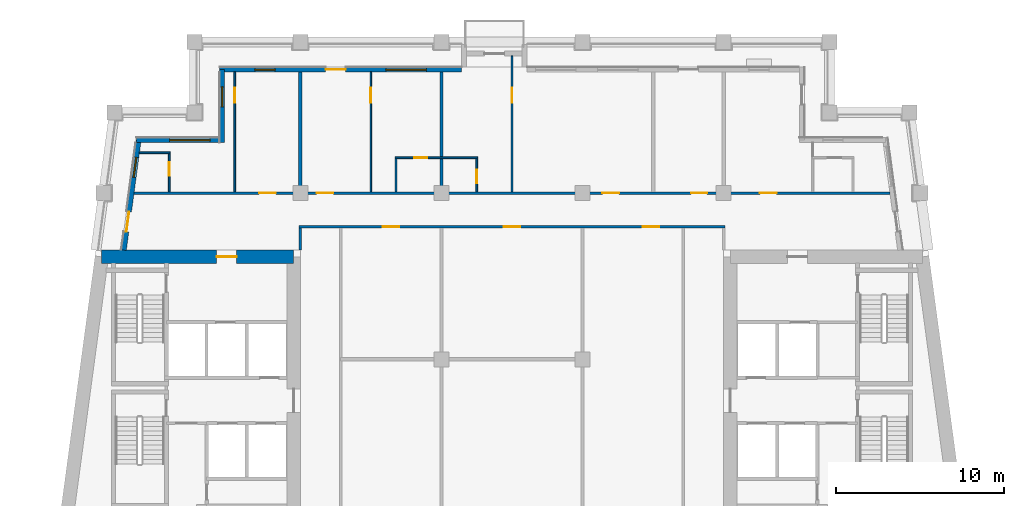
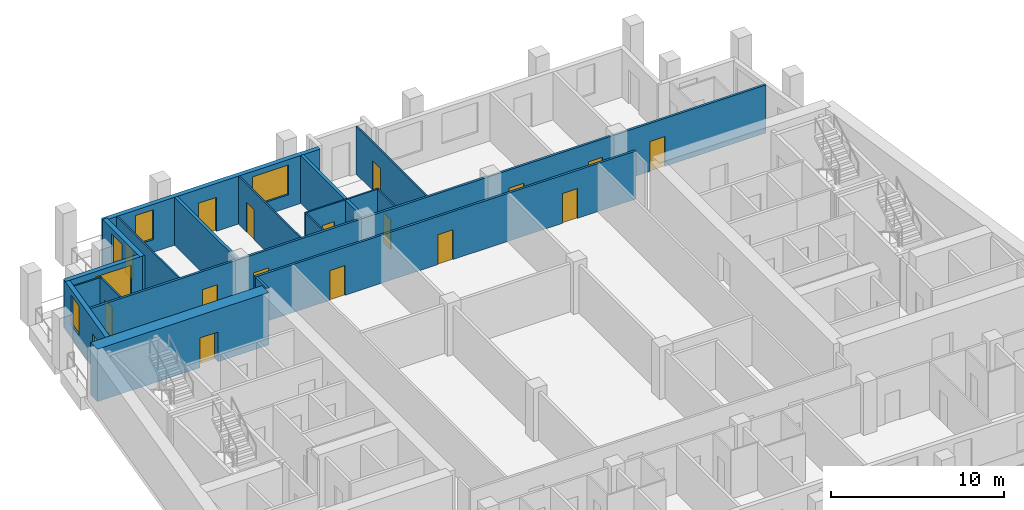
# One storey, part 6 of 13: 18 walls, 17 doors, 5 windows, 22 openings.
"""IFC4 building model written with IfcOpenShell, lengths in metres."""

from ifc_helpers import new_model, si_unit, direction, frame, frame_2d, origin, place, context, subcontext, project, spatial, rectangle, extrude, material, layer, layer_set, type_object, element, fill, save


model = new_model("IFC4")

# Units and contexts
model_context = context("Model", 3, precision=1e-05, world=origin(), true_north=direction((0.0, 1.0)))
body_context = subcontext(model_context, "Body", "Model", "MODEL_VIEW")
ifc_project = project(units=[si_unit("LENGTHUNIT", "METRE"), si_unit("AREAUNIT", "SQUARE_METRE"), si_unit("VOLUMEUNIT", "CUBIC_METRE"), si_unit("PLANEANGLEUNIT", "RADIAN"), si_unit("MASSUNIT", "GRAM", prefix="KILO")], contexts=[model_context])

# Site, building, storey
site_placement = place(None, origin())
site = spatial("IfcSite", under=ifc_project, at=site_placement, CompositionType="ELEMENT")
building_placement = place(site_placement, origin())
building = spatial("IfcBuilding", under=site, at=building_placement, Name="Candeia Pilgrim Tower and Theatre", CompositionType="ELEMENT")
storey_placement = place(building_placement, frame((0.0, 0.0, 239.199951171875)))
storey = spatial("IfcBuildingStorey", under=building, at=storey_placement, Name="L58", CompositionType="ELEMENT", Elevation=239.199951171875)

# Wall, opening, door
ifc_material_1 = material(Name="Concrete C50/60", Category="concrete")
ifc_layer_1 = layer(ifc_material_1, 0.800048828125)
ifc_layer_set_1 = layer_set([ifc_layer_1], Name="Core wall 800 C50/60")
wall_type_1 = type_object("IfcWallType", Name="Core wall 800 C50/60", PredefinedType="SHEAR", material=ifc_layer_set_1)
wall_1_placement = place(storey_placement, frame((88.98046875, 132.0, 0.0), z_axis=(0.0, 0.0, 1.0), x_axis=(1.0, 0.0, 0.0)))
wall_1 = element("IfcWall", 1, at=wall_1_placement, inside=storey, type_object=wall_type_1, Name="Core wall W1", PredefinedType="SHEAR", context=body_context, shape_type="SweptSolid", body=[
    extrude(rectangle(XDim=11.41943359375, YDim=0.800048828125, at=frame_2d((5.709716796875, 0.0))), origin(), (0.0, 0.0, 1.0), 3.699951171875),
])
opening_1_placement = place(wall_1_placement, frame((6.8330078125, 0.0, 0.0)))
opening_1 = element("IfcOpeningElement", 2, at=opening_1_placement, cuts=wall_1, Name="Opening L58-D057", PredefinedType="OPENING", context=body_context, shape_type="SweptSolid", body=[
    extrude(rectangle(XDim=1.199951171875, YDim=2.10009765625, at=frame_2d((0.60009765625, 1.050048828125))), frame((0.0, 0.41015625, 0.0), z_axis=(0.0, -1.0, 0.0), x_axis=(1.0, 0.0, 0.0)), (0.0, 0.0, 1.0), 0.820068359375),
])
ifc_material_2 = material(Name="Steel fire door set", Category="steel")
door_type_1 = type_object("IfcDoorType", Name="D-1200-FD60", OperationType="NOTDEFINED", PredefinedType="DOOR", material=ifc_material_2)
door_1_placement = place(opening_1_placement, origin())
door_1 = element("IfcDoor", 3, at=door_1_placement, inside=storey, type_object=door_type_1, Name="Door L58-D057", OperationType="SINGLE_SWING_LEFT", OverallHeight=2.10009765625, OverallWidth=1.199951171875, PredefinedType="DOOR", context=body_context, shape_type="SweptSolid", body=[
    extrude(rectangle(XDim=1.199951171875, YDim=2.10009765625, at=frame_2d((0.60009765625, 1.050048828125))), frame((0.0, 0.02490234375, 0.0), z_axis=(0.0, -1.0, 0.0), x_axis=(1.0, 0.0, 0.0)), (0.0, 0.0, 1.0), 0.050048828125),
])
fill(opening_1, door_1)

# Wall, openings, door, windows
ifc_material_3 = material(Name="Ceramic block masonry", Category="masonry")
ifc_layer_2 = layer(ifc_material_3, 0.300048828125)
ifc_layer_set_2 = layer_set([ifc_layer_2], Name="EW1 glazing-line wall 300")
wall_type_2 = type_object("IfcWallType", Name="EW1 glazing-line wall 300", PredefinedType="SOLIDWALL", material=ifc_layer_set_2)
wall_2_placement = place(storey_placement, frame((110.39990234375, 143.14990234375, 0.0), z_axis=(0.0, 0.0, 1.0), x_axis=(-1.0, 0.0, 0.0)))
wall_2 = element("IfcWall", 4, at=wall_2_placement, inside=storey, type_object=wall_type_2, Name="External wall L58-6.1", PredefinedType="SOLIDWALL", context=body_context, shape_type="SweptSolid", body=[
    extrude(rectangle(XDim=14.39990234375, YDim=0.300048828125, at=frame_2d((7.199951171875, 0.0))), origin(), (0.0, 0.0, 1.0), 3.380126953125),
])
opening_2_placement = place(wall_2_placement, frame((2.10009765625, 0.0, 0.89990234375)))
opening_2 = element("IfcOpeningElement", 5, at=opening_2_placement, cuts=wall_2, Name="Opening W-A", PredefinedType="OPENING", context=body_context, shape_type="SweptSolid", body=[
    extrude(rectangle(XDim=2.39990234375, YDim=2.10009765625, at=frame_2d((1.199951171875, 1.050048828125))), frame((0.0, 0.16015625, 0.0), z_axis=(0.0, -1.0, 0.0), x_axis=(1.0, 0.0, 0.0)), (0.0, 0.0, 1.0), 0.320068359375),
])
opening_3_placement = place(wall_2_placement, frame((6.89990234375, 0.0, 0.0)))
opening_3 = element("IfcOpeningElement", 6, at=opening_3_placement, cuts=wall_2, Name="Opening L58-ED562", PredefinedType="OPENING", context=body_context, shape_type="SweptSolid", body=[
    extrude(rectangle(XDim=1.199951171875, YDim=2.39990234375, at=frame_2d((0.60009765625, 1.199951171875))), frame((0.0, 0.16015625, 0.0), z_axis=(0.0, -1.0, 0.0), x_axis=(1.0, 0.0, 0.0)), (0.0, 0.0, 1.0), 0.320068359375),
])
opening_4_placement = place(wall_2_placement, frame((11.10009765625, 0.0, 0.89990234375)))
opening_4 = element("IfcOpeningElement", 7, at=opening_4_placement, cuts=wall_2, Name="Opening W-B", PredefinedType="OPENING", context=body_context, shape_type="SweptSolid", body=[
    extrude(rectangle(XDim=1.199951171875, YDim=2.10009765625, at=frame_2d((0.60009765625, 1.050048828125))), frame((0.0, 0.16015625, 0.0), z_axis=(0.0, -1.0, 0.0), x_axis=(1.0, 0.0, 0.0)), (0.0, 0.0, 1.0), 0.320068359375),
])
ifc_material_4 = material(Name="Aluminium framed glazed door", Category="aluminium")
door_type_2 = type_object("IfcDoorType", Name="Loggia door 1200x2400", OperationType="DOUBLE_DOOR_SINGLE_SWING", PredefinedType="DOOR", material=ifc_material_4)
door_2_placement = place(opening_3_placement, origin())
door_2 = element("IfcDoor", 8, at=door_2_placement, inside=storey, type_object=door_type_2, Name="Loggia door L58-ED562", OperationType="DOUBLE_DOOR_SINGLE_SWING", OverallHeight=2.39990234375, OverallWidth=1.199951171875, PredefinedType="DOOR", context=body_context, shape_type="SweptSolid", body=[
    extrude(rectangle(XDim=1.199951171875, YDim=2.39990234375, at=frame_2d((0.60009765625, 1.199951171875))), frame((0.0, 0.02490234375, 0.0), z_axis=(0.0, -1.0, 0.0), x_axis=(1.0, 0.0, 0.0)), (0.0, 0.0, 1.0), 0.050048828125),
])
fill(opening_3, door_2)
ifc_material_5 = material(Name="Aluminium framed double glazing", Category="aluminium")
window_type_1 = type_object("IfcWindowType", Name="W-A window 2400x2100", PartitioningType="DOUBLE_PANEL_VERTICAL", PredefinedType="WINDOW", material=ifc_material_5)
window_1_placement = place(opening_2_placement, origin())
window_1 = element("IfcWindow", 9, at=window_1_placement, inside=storey, type_object=window_type_1, Name="Window W-A L58", OverallHeight=2.10009765625, OverallWidth=2.39990234375, PartitioningType="SINGLE_PANEL", PredefinedType="WINDOW", context=body_context, shape_type="SweptSolid", body=[
    extrude(rectangle(XDim=2.39990234375, YDim=2.10009765625, at=frame_2d((1.199951171875, 1.050048828125))), frame((0.0, 0.030029296875, 0.0), z_axis=(0.0, -1.0, 0.0), x_axis=(1.0, 0.0, 0.0)), (0.0, 0.0, 1.0), 0.06005859375),
])
fill(opening_2, window_1)
window_type_2 = type_object("IfcWindowType", Name="W-B window 1200x2100", PartitioningType="SINGLE_PANEL", PredefinedType="WINDOW", material=ifc_material_5)
window_2_placement = place(opening_4_placement, origin())
window_2 = element("IfcWindow", 10, at=window_2_placement, inside=storey, type_object=window_type_2, Name="Window W-B L58", OverallHeight=2.10009765625, OverallWidth=1.199951171875, PartitioningType="SINGLE_PANEL", PredefinedType="WINDOW", context=body_context, shape_type="SweptSolid", body=[
    extrude(rectangle(XDim=1.199951171875, YDim=2.10009765625, at=frame_2d((0.60009765625, 1.050048828125))), frame((0.0, 0.030029296875, 0.0), z_axis=(0.0, -1.0, 0.0), x_axis=(1.0, 0.0, 0.0)), (0.0, 0.0, 1.0), 0.06005859375),
])
fill(opening_4, window_2)

# Wall, opening, window
wall_3_placement = place(storey_placement, frame((96.14990234375, 143.14990234375, 0.0), z_axis=(0.0, 0.0, 1.0), x_axis=(0.0, -1.0, 0.0)))
wall_3 = element("IfcWall", 11, at=wall_3_placement, inside=storey, type_object=wall_type_2, Name="External wall L58-7.0", PredefinedType="SOLIDWALL", context=body_context, shape_type="SweptSolid", body=[
    extrude(rectangle(XDim=4.349853515625, YDim=0.300048828125, at=frame_2d((2.1748046875, 0.0))), origin(), (0.0, 0.0, 1.0), 3.380126953125),
])
opening_5_placement = place(wall_3_placement, frame((1.02490234375, 0.0, 0.89990234375)))
opening_5 = element("IfcOpeningElement", 12, at=opening_5_placement, cuts=wall_3, Name="Opening W-B", PredefinedType="OPENING", context=body_context, shape_type="SweptSolid", body=[
    extrude(rectangle(XDim=1.199951171875, YDim=2.10009765625, at=frame_2d((0.60009765625, 1.050048828125))), frame((0.0, 0.16015625, 0.0), z_axis=(0.0, -1.0, 0.0), x_axis=(1.0, 0.0, 0.0)), (0.0, 0.0, 1.0), 0.320068359375),
])
window_3_placement = place(opening_5_placement, origin())
window_3 = element("IfcWindow", 13, at=window_3_placement, inside=storey, type_object=window_type_2, Name="Window W-B L58", OverallHeight=2.10009765625, OverallWidth=1.199951171875, PartitioningType="SINGLE_PANEL", PredefinedType="WINDOW", context=body_context, shape_type="SweptSolid", body=[
    extrude(rectangle(XDim=1.199951171875, YDim=2.10009765625, at=frame_2d((0.60009765625, 1.050048828125))), frame((0.0, 0.030029296875, 0.0), z_axis=(0.0, -1.0, 0.0), x_axis=(1.0, 0.0, 0.0)), (0.0, 0.0, 1.0), 0.06005859375),
])
fill(opening_5, window_3)

wall_4_placement = place(storey_placement, frame((96.14990234375, 138.949951171875, 0.0), z_axis=(0.0, 0.0, 1.0), x_axis=(-1.0, 0.0, 0.0)))
wall_4 = element("IfcWall", 14, at=wall_4_placement, inside=storey, type_object=wall_type_2, Name="External wall L58-8.0", PredefinedType="SOLIDWALL", context=body_context, shape_type="SweptSolid", body=[
    extrude(rectangle(XDim=5.103759765625, YDim=0.300048828125, at=frame_2d((2.5517578125, 0.0))), origin(), (0.0, 0.0, 1.0), 3.380126953125),
])
opening_6_placement = place(wall_4_placement, frame((0.72509765625, 0.0, 0.89990234375)))
opening_6 = element("IfcOpeningElement", 15, at=opening_6_placement, cuts=wall_4, Name="Opening W-A", PredefinedType="OPENING", context=body_context, shape_type="SweptSolid", body=[
    extrude(rectangle(XDim=2.39990234375, YDim=2.10009765625, at=frame_2d((1.199951171875, 1.050048828125))), frame((0.0, 0.16015625, 0.0), z_axis=(0.0, -1.0, 0.0), x_axis=(1.0, 0.0, 0.0)), (0.0, 0.0, 1.0), 0.320068359375),
])
window_4_placement = place(opening_6_placement, origin())
window_4 = element("IfcWindow", 16, at=window_4_placement, inside=storey, type_object=window_type_1, Name="Window W-A L58", OverallHeight=2.10009765625, OverallWidth=2.39990234375, PartitioningType="SINGLE_PANEL", PredefinedType="WINDOW", context=body_context, shape_type="SweptSolid", body=[
    extrude(rectangle(XDim=2.39990234375, YDim=2.10009765625, at=frame_2d((1.199951171875, 1.050048828125))), frame((0.0, 0.030029296875, 0.0), z_axis=(0.0, -1.0, 0.0), x_axis=(1.0, 0.0, 0.0)), (0.0, 0.0, 1.0), 0.06005859375),
])
fill(opening_6, window_4)

# Wall, openings, door, window
wall_5_placement = place(storey_placement, frame((91.177490234375, 138.949951171875, 0.0), z_axis=(0.0, 0.0, 1.0), x_axis=(-0.133426664613, -0.991058689065, 0.0)))
wall_5 = element("IfcWall", 17, at=wall_5_placement, inside=storey, type_object=wall_type_2, Name="External wall L58-9.0", PredefinedType="SOLIDWALL", context=body_context, shape_type="SweptSolid", body=[
    extrude(rectangle(XDim=6.609130859375, YDim=0.300048828125, at=frame_2d((3.3046875, 0.0))), origin(), (0.0, 0.0, 1.0), 3.380126953125),
])
opening_7_placement = place(wall_5_placement, frame((1.039306640625, 0.0, 0.89990234375)))
opening_7 = element("IfcOpeningElement", 18, at=opening_7_placement, cuts=wall_5, Name="Opening W-B", PredefinedType="OPENING", context=body_context, shape_type="SweptSolid", body=[
    extrude(rectangle(XDim=1.199951171875, YDim=2.10009765625, at=frame_2d((0.60009765625, 1.050048828125))), frame((0.0, 0.16015625, 0.0), z_axis=(0.0, -1.0, 0.0), x_axis=(1.0, 0.0, 0.0)), (0.0, 0.0, 1.0), 0.320068359375),
])
opening_8_placement = place(wall_5_placement, frame((4.293701171875, 0.0, 0.0)))
opening_8 = element("IfcOpeningElement", 19, at=opening_8_placement, cuts=wall_5, Name="Opening L58-ED564", PredefinedType="OPENING", context=body_context, shape_type="SweptSolid", body=[
    extrude(rectangle(XDim=1.199951171875, YDim=2.39990234375, at=frame_2d((0.60009765625, 1.199951171875))), frame((0.0, 0.16015625, 0.0), z_axis=(0.0, -1.0, 0.0), x_axis=(1.0, 0.0, 0.0)), (0.0, 0.0, 1.0), 0.320068359375),
])
door_3_placement = place(opening_8_placement, origin())
door_3 = element("IfcDoor", 20, at=door_3_placement, inside=storey, type_object=door_type_2, Name="Loggia door L58-ED564", OperationType="DOUBLE_DOOR_SINGLE_SWING", OverallHeight=2.39990234375, OverallWidth=1.199951171875, PredefinedType="DOOR", context=body_context, shape_type="SweptSolid", body=[
    extrude(rectangle(XDim=1.199951171875, YDim=2.39990234375, at=frame_2d((0.60009765625, 1.199951171875))), frame((0.0, 0.02490234375, 0.0), z_axis=(0.0, -1.0, 0.0), x_axis=(1.0, 0.0, 0.0)), (0.0, 0.0, 1.0), 0.050048828125),
])
fill(opening_8, door_3)
window_5_placement = place(opening_7_placement, origin())
window_5 = element("IfcWindow", 21, at=window_5_placement, inside=storey, type_object=window_type_2, Name="Window W-B L58", OverallHeight=2.10009765625, OverallWidth=1.199951171875, PartitioningType="SINGLE_PANEL", PredefinedType="WINDOW", context=body_context, shape_type="SweptSolid", body=[
    extrude(rectangle(XDim=1.199951171875, YDim=2.10009765625, at=frame_2d((0.60009765625, 1.050048828125))), frame((0.0, 0.030029296875, 0.0), z_axis=(0.0, -1.0, 0.0), x_axis=(1.0, 0.0, 0.0)), (0.0, 0.0, 1.0), 0.06005859375),
])
fill(opening_7, window_5)

# Wall, opening, door
ifc_material_6 = material(Name="Gypsum board partition on steel studs", Category="steel")
ifc_layer_3 = layer(ifc_material_6, 0.10009765625)
ifc_layer_set_3 = layer_set([ifc_layer_3], Name="PW-100 room partition")
wall_type_3 = type_object("IfcWallType", Name="PW-100 room partition", PredefinedType="PARTITIONING", material=ifc_layer_set_3)
wall_6_placement = place(storey_placement, frame((106.449951171875, 137.89990234375, 0.0), z_axis=(0.0, 0.0, 1.0), x_axis=(1.0, 0.0, 0.0)))
wall_6 = element("IfcWall", 22, at=wall_6_placement, inside=storey, type_object=wall_type_3, Name="Room partition L58-044", PredefinedType="PARTITIONING", context=body_context, shape_type="SweptSolid", body=[
    extrude(rectangle(XDim=4.900146484375, YDim=0.10009765625, at=frame_2d((2.4501953125, 0.0))), origin(), (0.0, 0.0, 1.0), 3.380126953125),
])
opening_9_placement = place(wall_6_placement, frame((1.1201171875, 0.0, 0.0)))
opening_9 = element("IfcOpeningElement", 23, at=opening_9_placement, cuts=wall_6, Name="Opening L58-D041", PredefinedType="OPENING", context=body_context, shape_type="SweptSolid", body=[
    extrude(rectangle(XDim=0.800048828125, YDim=2.10009765625, at=frame_2d((0.39990234375, 1.050048828125))), frame((0.0, 0.06005859375, 0.0), z_axis=(0.0, -1.0, 0.0), x_axis=(1.0, 0.0, 0.0)), (0.0, 0.0, 1.0), 0.1201171875),
])
ifc_material_7 = material(Name="Timber door leaf", Category="wood")
door_type_3 = type_object("IfcDoorType", Name="D-800", OperationType="NOTDEFINED", PredefinedType="DOOR", material=ifc_material_7)
door_4_placement = place(opening_9_placement, origin())
door_4 = element("IfcDoor", 24, at=door_4_placement, inside=storey, type_object=door_type_3, Name="Door L58-D041", OperationType="SINGLE_SWING_LEFT", OverallHeight=2.10009765625, OverallWidth=0.800048828125, PredefinedType="DOOR", context=body_context, shape_type="SweptSolid", body=[
    extrude(rectangle(XDim=0.800048828125, YDim=2.10009765625, at=frame_2d((0.39990234375, 1.050048828125))), frame((0.0, 0.02490234375, 0.0), z_axis=(0.0, -1.0, 0.0), x_axis=(1.0, 0.0, 0.0)), (0.0, 0.0, 1.0), 0.050048828125),
])
fill(opening_9, door_4)

# Wall
wall_7_placement = place(storey_placement, frame((91.2177734375, 138.199951171875, 0.0), z_axis=(0.0, 0.0, 1.0), x_axis=(1.0, 0.0, 0.0)))
element("IfcWall", 25, at=wall_7_placement, inside=storey, type_object=wall_type_3, Name="Room partition L58-046", PredefinedType="PARTITIONING", context=body_context, shape_type="SweptSolid", body=[
    extrude(rectangle(XDim=1.832275390625, YDim=0.10009765625, at=frame_2d((0.916015625, 0.0))), origin(), (0.0, 0.0, 1.0), 3.380126953125),
])

# Wall, opening, door
wall_8_placement = place(storey_placement, frame((93.0, 135.875, 0.0), z_axis=(0.0, 0.0, 1.0), x_axis=(0.0, 1.0, 0.0)))
wall_8 = element("IfcWall", 26, at=wall_8_placement, inside=storey, type_object=wall_type_3, Name="Room partition L58-059", PredefinedType="PARTITIONING", context=body_context, shape_type="SweptSolid", body=[
    extrude(rectangle(XDim=2.27490234375, YDim=0.10009765625, at=frame_2d((1.137451171875, 0.0))), origin(), (0.0, 0.0, 1.0), 3.380126953125),
])
opening_10_placement = place(wall_8_placement, frame((0.949951171875, 0.0, 0.0)))
opening_10 = element("IfcOpeningElement", 27, at=opening_10_placement, cuts=wall_8, Name="Opening L58-D038", PredefinedType="OPENING", context=body_context, shape_type="SweptSolid", body=[
    extrude(rectangle(XDim=0.800048828125, YDim=2.10009765625, at=frame_2d((0.39990234375, 1.050048828125))), frame((0.0, 0.06005859375, 0.0), z_axis=(0.0, -1.0, 0.0), x_axis=(1.0, 0.0, 0.0)), (0.0, 0.0, 1.0), 0.1201171875),
])
door_5_placement = place(opening_10_placement, origin())
door_5 = element("IfcDoor", 28, at=door_5_placement, inside=storey, type_object=door_type_3, Name="Door L58-D038", OperationType="SINGLE_SWING_RIGHT", OverallHeight=2.10009765625, OverallWidth=0.800048828125, PredefinedType="DOOR", context=body_context, shape_type="SweptSolid", body=[
    extrude(rectangle(XDim=0.800048828125, YDim=2.10009765625, at=frame_2d((0.39990234375, 1.050048828125))), frame((0.0, 0.02490234375, 0.0), z_axis=(0.0, -1.0, 0.0), x_axis=(1.0, 0.0, 0.0)), (0.0, 0.0, 1.0), 0.050048828125),
])
fill(opening_10, door_5)

wall_9_placement = place(storey_placement, frame((96.89990234375, 135.875, 0.0), z_axis=(0.0, 0.0, 1.0), x_axis=(0.0, 1.0, 0.0)))
wall_9 = element("IfcWall", 29, at=wall_9_placement, inside=storey, type_object=wall_type_3, Name="Room partition L58-064", PredefinedType="PARTITIONING", context=body_context, shape_type="SweptSolid", body=[
    extrude(rectangle(XDim=7.135009765625, YDim=0.10009765625, at=frame_2d((3.5673828125, 0.0))), origin(), (0.0, 0.0, 1.0), 3.380126953125),
])
opening_11_placement = place(wall_9_placement, frame((5.2900390625, 0.0, 0.0)))
opening_11 = element("IfcOpeningElement", 30, at=opening_11_placement, cuts=wall_9, Name="Opening L58-D037", PredefinedType="OPENING", context=body_context, shape_type="SweptSolid", body=[
    extrude(rectangle(XDim=0.89990234375, YDim=2.10009765625, at=frame_2d((0.449951171875, 1.050048828125))), frame((0.0, 0.06005859375, 0.0), z_axis=(0.0, -1.0, 0.0), x_axis=(1.0, 0.0, 0.0)), (0.0, 0.0, 1.0), 0.1201171875),
])
door_type_4 = type_object("IfcDoorType", Name="D-900", OperationType="NOTDEFINED", PredefinedType="DOOR", material=ifc_material_7)
door_6_placement = place(opening_11_placement, origin())
door_6 = element("IfcDoor", 31, at=door_6_placement, inside=storey, type_object=door_type_4, Name="Door L58-D037", OperationType="SINGLE_SWING_LEFT", OverallHeight=2.10009765625, OverallWidth=0.89990234375, PredefinedType="DOOR", context=body_context, shape_type="SweptSolid", body=[
    extrude(rectangle(XDim=0.89990234375, YDim=2.10009765625, at=frame_2d((0.449951171875, 1.050048828125))), frame((0.0, 0.02490234375, 0.0), z_axis=(0.0, -1.0, 0.0), x_axis=(1.0, 0.0, 0.0)), (0.0, 0.0, 1.0), 0.050048828125),
])
fill(opening_11, door_6)

wall_10_placement = place(storey_placement, frame((105.0, 135.875, 0.0), z_axis=(0.0, 0.0, 1.0), x_axis=(0.0, 1.0, 0.0)))
wall_10 = element("IfcWall", 32, at=wall_10_placement, inside=storey, type_object=wall_type_3, Name="Room partition L58-075", PredefinedType="PARTITIONING", context=body_context, shape_type="SweptSolid", body=[
    extrude(rectangle(XDim=7.135009765625, YDim=0.10009765625, at=frame_2d((3.5673828125, 0.0))), origin(), (0.0, 0.0, 1.0), 3.380126953125),
])
opening_12_placement = place(wall_10_placement, frame((5.2900390625, 0.0, 0.0)))
opening_12 = element("IfcOpeningElement", 33, at=opening_12_placement, cuts=wall_10, Name="Opening L58-D040", PredefinedType="OPENING", context=body_context, shape_type="SweptSolid", body=[
    extrude(rectangle(XDim=0.89990234375, YDim=2.10009765625, at=frame_2d((0.449951171875, 1.050048828125))), frame((0.0, 0.06005859375, 0.0), z_axis=(0.0, -1.0, 0.0), x_axis=(1.0, 0.0, 0.0)), (0.0, 0.0, 1.0), 0.1201171875),
])
door_7_placement = place(opening_12_placement, origin())
door_7 = element("IfcDoor", 34, at=door_7_placement, inside=storey, type_object=door_type_4, Name="Door L58-D040", OperationType="SINGLE_SWING_RIGHT", OverallHeight=2.10009765625, OverallWidth=0.89990234375, PredefinedType="DOOR", context=body_context, shape_type="SweptSolid", body=[
    extrude(rectangle(XDim=0.89990234375, YDim=2.10009765625, at=frame_2d((0.449951171875, 1.050048828125))), frame((0.0, 0.02490234375, 0.0), z_axis=(0.0, -1.0, 0.0), x_axis=(1.0, 0.0, 0.0)), (0.0, 0.0, 1.0), 0.050048828125),
])
fill(opening_12, door_7)

# Wall
wall_11_placement = place(storey_placement, frame((106.5, 135.875, 0.0), z_axis=(0.0, 0.0, 1.0), x_axis=(0.0, 1.0, 0.0)))
element("IfcWall", 35, at=wall_11_placement, inside=storey, type_object=wall_type_3, Name="Room partition L58-077", PredefinedType="PARTITIONING", context=body_context, shape_type="SweptSolid", body=[
    extrude(rectangle(XDim=1.97509765625, YDim=0.10009765625, at=frame_2d((0.987548828125, 0.0))), origin(), (0.0, 0.0, 1.0), 3.380126953125),
])

# Wall, opening, door
wall_12_placement = place(storey_placement, frame((111.300048828125, 135.875, 0.0), z_axis=(0.0, 0.0, 1.0), x_axis=(0.0, 1.0, 0.0)))
wall_12 = element("IfcWall", 36, at=wall_12_placement, inside=storey, type_object=wall_type_3, Name="Room partition L58-083", PredefinedType="PARTITIONING", context=body_context, shape_type="SweptSolid", body=[
    extrude(rectangle(XDim=1.97509765625, YDim=0.10009765625, at=frame_2d((0.987548828125, 0.0))), origin(), (0.0, 0.0, 1.0), 3.380126953125),
])
opening_13_placement = place(wall_12_placement, frame((0.514892578125, 0.0, 0.0)))
opening_13 = element("IfcOpeningElement", 37, at=opening_13_placement, cuts=wall_12, Name="Opening L58-D044", PredefinedType="OPENING", context=body_context, shape_type="SweptSolid", body=[
    extrude(rectangle(XDim=0.800048828125, YDim=2.10009765625, at=frame_2d((0.39990234375, 1.050048828125))), frame((0.0, 0.06005859375, 0.0), z_axis=(0.0, -1.0, 0.0), x_axis=(1.0, 0.0, 0.0)), (0.0, 0.0, 1.0), 0.1201171875),
])
door_8_placement = place(opening_13_placement, origin())
door_8 = element("IfcDoor", 38, at=door_8_placement, inside=storey, type_object=door_type_3, Name="Door L58-D044", OperationType="SINGLE_SWING_RIGHT", OverallHeight=2.10009765625, OverallWidth=0.800048828125, PredefinedType="DOOR", context=body_context, shape_type="SweptSolid", body=[
    extrude(rectangle(XDim=0.800048828125, YDim=2.10009765625, at=frame_2d((0.39990234375, 1.050048828125))), frame((0.0, 0.02490234375, 0.0), z_axis=(0.0, -1.0, 0.0), x_axis=(1.0, 0.0, 0.0)), (0.0, 0.0, 1.0), 0.050048828125),
])
fill(opening_13, door_8)

wall_13_placement = place(storey_placement, frame((113.39990234375, 135.875, 0.0), z_axis=(0.0, 0.0, 1.0), x_axis=(0.0, 1.0, 0.0)))
wall_13 = element("IfcWall", 39, at=wall_13_placement, inside=storey, type_object=wall_type_3, Name="Room partition L58-084", PredefinedType="PARTITIONING", context=body_context, shape_type="SweptSolid", body=[
    extrude(rectangle(XDim=8.0849609375, YDim=0.10009765625, at=frame_2d((4.04248046875, 0.0))), origin(), (0.0, 0.0, 1.0), 3.380126953125),
])
opening_14_placement = place(wall_13_placement, frame((5.2900390625, 0.0, 0.0)))
opening_14 = element("IfcOpeningElement", 40, at=opening_14_placement, cuts=wall_13, Name="Opening L58-D043", PredefinedType="OPENING", context=body_context, shape_type="SweptSolid", body=[
    extrude(rectangle(XDim=0.89990234375, YDim=2.10009765625, at=frame_2d((0.449951171875, 1.050048828125))), frame((0.0, 0.06005859375, 0.0), z_axis=(0.0, -1.0, 0.0), x_axis=(1.0, 0.0, 0.0)), (0.0, 0.0, 1.0), 0.1201171875),
])
door_9_placement = place(opening_14_placement, origin())
door_9 = element("IfcDoor", 41, at=door_9_placement, inside=storey, type_object=door_type_4, Name="Door L58-D043", OperationType="SINGLE_SWING_LEFT", OverallHeight=2.10009765625, OverallWidth=0.89990234375, PredefinedType="DOOR", context=body_context, shape_type="SweptSolid", body=[
    extrude(rectangle(XDim=0.89990234375, YDim=2.10009765625, at=frame_2d((0.449951171875, 1.050048828125))), frame((0.0, 0.02490234375, 0.0), z_axis=(0.0, -1.0, 0.0), x_axis=(1.0, 0.0, 0.0)), (0.0, 0.0, 1.0), 0.050048828125),
])
fill(opening_14, door_9)

# Wall, openings, doors
ifc_layer_4 = layer(ifc_material_6, 0.14990234375)
ifc_layer_set_4 = layer_set([ifc_layer_4], Name="PW-150 unit wall")
wall_type_4 = type_object("IfcWallType", Name="PW-150 unit wall", PredefinedType="PARTITIONING", material=ifc_layer_set_4)
wall_14_placement = place(storey_placement, frame((100.72509765625, 133.800048828125, 0.0), z_axis=(0.0, 0.0, 1.0), x_axis=(1.0, 0.0, 0.0)))
wall_14 = element("IfcWall", 42, at=wall_14_placement, inside=storey, type_object=wall_type_4, Name="Unit wall L58-042", PredefinedType="PARTITIONING", context=body_context, shape_type="SweptSolid", body=[
    extrude(rectangle(XDim=25.349853515625, YDim=0.14990234375, at=frame_2d((12.6748046875, 0.0))), origin(), (0.0, 0.0, 1.0), 3.380126953125),
])
opening_15_placement = place(wall_14_placement, frame((4.97509765625, 0.0, 0.0)))
opening_15 = element("IfcOpeningElement", 43, at=opening_15_placement, cuts=wall_14, Name="Opening L58-D051", PredefinedType="OPENING", context=body_context, shape_type="SweptSolid", body=[
    extrude(rectangle(XDim=1.0, YDim=2.10009765625, at=frame_2d((0.5, 1.050048828125))), frame((0.0, 0.0849609375, 0.0), z_axis=(0.0, -1.0, 0.0), x_axis=(1.0, 0.0, 0.0)), (0.0, 0.0, 1.0), 0.169921875),
])
opening_16_placement = place(wall_14_placement, frame((12.175048828125, 0.0, 0.0)))
opening_16 = element("IfcOpeningElement", 44, at=opening_16_placement, cuts=wall_14, Name="Opening L58-D053", PredefinedType="OPENING", context=body_context, shape_type="SweptSolid", body=[
    extrude(rectangle(XDim=1.0, YDim=2.10009765625, at=frame_2d((0.5, 1.050048828125))), frame((0.0, 0.0849609375, 0.0), z_axis=(0.0, -1.0, 0.0), x_axis=(1.0, 0.0, 0.0)), (0.0, 0.0, 1.0), 0.169921875),
])
opening_17_placement = place(wall_14_placement, frame((20.449951171875, 0.0, 0.0)))
opening_17 = element("IfcOpeningElement", 45, at=opening_17_placement, cuts=wall_14, Name="Opening L58-D055", PredefinedType="OPENING", context=body_context, shape_type="SweptSolid", body=[
    extrude(rectangle(XDim=1.0, YDim=2.10009765625, at=frame_2d((0.5, 1.050048828125))), frame((0.0, 0.0849609375, 0.0), z_axis=(0.0, -1.0, 0.0), x_axis=(1.0, 0.0, 0.0)), (0.0, 0.0, 1.0), 0.169921875),
])
door_type_5 = type_object("IfcDoorType", Name="D-1000-FD30S", OperationType="NOTDEFINED", PredefinedType="DOOR", material=ifc_material_2)
door_10_placement = place(opening_15_placement, origin())
door_10 = element("IfcDoor", 46, at=door_10_placement, inside=storey, type_object=door_type_5, Name="Door L58-D051", OperationType="SINGLE_SWING_LEFT", OverallHeight=2.10009765625, OverallWidth=1.0, PredefinedType="DOOR", context=body_context, shape_type="SweptSolid", body=[
    extrude(rectangle(XDim=1.0, YDim=2.10009765625, at=frame_2d((0.5, 1.050048828125))), frame((0.0, 0.02490234375, 0.0), z_axis=(0.0, -1.0, 0.0), x_axis=(1.0, 0.0, 0.0)), (0.0, 0.0, 1.0), 0.050048828125),
])
fill(opening_15, door_10)
door_11_placement = place(opening_16_placement, origin())
door_11 = element("IfcDoor", 47, at=door_11_placement, inside=storey, type_object=door_type_5, Name="Door L58-D053", OperationType="SINGLE_SWING_LEFT", OverallHeight=2.10009765625, OverallWidth=1.0, PredefinedType="DOOR", context=body_context, shape_type="SweptSolid", body=[
    extrude(rectangle(XDim=1.0, YDim=2.10009765625, at=frame_2d((0.5, 1.050048828125))), frame((0.0, 0.02490234375, 0.0), z_axis=(0.0, -1.0, 0.0), x_axis=(1.0, 0.0, 0.0)), (0.0, 0.0, 1.0), 0.050048828125),
])
fill(opening_16, door_11)
door_12_placement = place(opening_17_placement, origin())
door_12 = element("IfcDoor", 48, at=door_12_placement, inside=storey, type_object=door_type_5, Name="Door L58-D055", OperationType="SINGLE_SWING_LEFT", OverallHeight=2.10009765625, OverallWidth=1.0, PredefinedType="DOOR", context=body_context, shape_type="SweptSolid", body=[
    extrude(rectangle(XDim=1.0, YDim=2.10009765625, at=frame_2d((0.5, 1.050048828125))), frame((0.0, 0.02490234375, 0.0), z_axis=(0.0, -1.0, 0.0), x_axis=(1.0, 0.0, 0.0)), (0.0, 0.0, 1.0), 0.050048828125),
])
fill(opening_17, door_12)

wall_15_placement = place(storey_placement, frame((90.89453125, 135.800048828125, 0.0), z_axis=(0.0, 0.0, 1.0), x_axis=(1.0, 0.0, 0.0)))
wall_15 = element("IfcWall", 49, at=wall_15_placement, inside=storey, type_object=wall_type_4, Name="Unit wall L58-043", PredefinedType="PARTITIONING", context=body_context, shape_type="SweptSolid", body=[
    extrude(rectangle(XDim=45.010986328125, YDim=0.14990234375, at=frame_2d((22.50537109375, 0.0))), origin(), (0.0, 0.0, 1.0), 3.380126953125),
])
opening_18_placement = place(wall_15_placement, frame((7.455322265625, 0.0, 0.0)))
opening_18 = element("IfcOpeningElement", 50, at=opening_18_placement, cuts=wall_15, Name="Opening L58-D036", PredefinedType="OPENING", context=body_context, shape_type="SweptSolid", body=[
    extrude(rectangle(XDim=1.0, YDim=2.10009765625, at=frame_2d((0.5, 1.050048828125))), frame((0.0, 0.0849609375, 0.0), z_axis=(0.0, -1.0, 0.0), x_axis=(1.0, 0.0, 0.0)), (0.0, 0.0, 1.0), 0.169921875),
])
opening_19_placement = place(wall_15_placement, frame((10.88037109375, 0.0, 0.0)))
opening_19 = element("IfcOpeningElement", 51, at=opening_19_placement, cuts=wall_15, Name="Opening L58-D039", PredefinedType="OPENING", context=body_context, shape_type="SweptSolid", body=[
    extrude(rectangle(XDim=1.0, YDim=2.10009765625, at=frame_2d((0.5, 1.050048828125))), frame((0.0, 0.0849609375, 0.0), z_axis=(0.0, -1.0, 0.0), x_axis=(1.0, 0.0, 0.0)), (0.0, 0.0, 1.0), 0.169921875),
])
opening_20_placement = place(wall_15_placement, frame((27.88037109375, 0.0, 0.0)))
opening_20 = element("IfcOpeningElement", 52, at=opening_20_placement, cuts=wall_15, Name="Opening L58-D042", PredefinedType="OPENING", context=body_context, shape_type="SweptSolid", body=[
    extrude(rectangle(XDim=1.0, YDim=2.10009765625, at=frame_2d((0.5, 1.050048828125))), frame((0.0, 0.0849609375, 0.0), z_axis=(0.0, -1.0, 0.0), x_axis=(1.0, 0.0, 0.0)), (0.0, 0.0, 1.0), 0.169921875),
])
opening_21_placement = place(wall_15_placement, frame((33.16845703125, 0.0, 0.0)))
opening_21 = element("IfcOpeningElement", 53, at=opening_21_placement, cuts=wall_15, Name="Opening L58-D045", PredefinedType="OPENING", context=body_context, shape_type="SweptSolid", body=[
    extrude(rectangle(XDim=0.949951171875, YDim=2.10009765625, at=frame_2d((0.47509765625, 1.050048828125))), frame((0.0, 0.0849609375, 0.0), z_axis=(0.0, -1.0, 0.0), x_axis=(1.0, 0.0, 0.0)), (0.0, 0.0, 1.0), 0.169921875),
])
opening_22_placement = place(wall_15_placement, frame((37.25537109375, 0.0, 0.0)))
opening_22 = element("IfcOpeningElement", 54, at=opening_22_placement, cuts=wall_15, Name="Opening L58-D046", PredefinedType="OPENING", context=body_context, shape_type="SweptSolid", body=[
    extrude(rectangle(XDim=1.0, YDim=2.10009765625, at=frame_2d((0.5, 1.050048828125))), frame((0.0, 0.0849609375, 0.0), z_axis=(0.0, -1.0, 0.0), x_axis=(1.0, 0.0, 0.0)), (0.0, 0.0, 1.0), 0.169921875),
])
door_13_placement = place(opening_18_placement, origin())
door_13 = element("IfcDoor", 55, at=door_13_placement, inside=storey, type_object=door_type_5, Name="Door L58-D036", OperationType="SINGLE_SWING_RIGHT", OverallHeight=2.10009765625, OverallWidth=1.0, PredefinedType="DOOR", context=body_context, shape_type="SweptSolid", body=[
    extrude(rectangle(XDim=1.0, YDim=2.10009765625, at=frame_2d((0.5, 1.050048828125))), frame((0.0, 0.02490234375, 0.0), z_axis=(0.0, -1.0, 0.0), x_axis=(1.0, 0.0, 0.0)), (0.0, 0.0, 1.0), 0.050048828125),
])
fill(opening_18, door_13)
door_14_placement = place(opening_19_placement, origin())
door_14 = element("IfcDoor", 56, at=door_14_placement, inside=storey, type_object=door_type_5, Name="Door L58-D039", OperationType="SINGLE_SWING_LEFT", OverallHeight=2.10009765625, OverallWidth=1.0, PredefinedType="DOOR", context=body_context, shape_type="SweptSolid", body=[
    extrude(rectangle(XDim=1.0, YDim=2.10009765625, at=frame_2d((0.5, 1.050048828125))), frame((0.0, 0.02490234375, 0.0), z_axis=(0.0, -1.0, 0.0), x_axis=(1.0, 0.0, 0.0)), (0.0, 0.0, 1.0), 0.050048828125),
])
fill(opening_19, door_14)
door_15_placement = place(opening_20_placement, origin())
door_15 = element("IfcDoor", 57, at=door_15_placement, inside=storey, type_object=door_type_5, Name="Door L58-D042", OperationType="SINGLE_SWING_RIGHT", OverallHeight=2.10009765625, OverallWidth=1.0, PredefinedType="DOOR", context=body_context, shape_type="SweptSolid", body=[
    extrude(rectangle(XDim=1.0, YDim=2.10009765625, at=frame_2d((0.5, 1.050048828125))), frame((0.0, 0.02490234375, 0.0), z_axis=(0.0, -1.0, 0.0), x_axis=(1.0, 0.0, 0.0)), (0.0, 0.0, 1.0), 0.050048828125),
])
fill(opening_20, door_15)
door_16_placement = place(opening_22_placement, origin())
door_16 = element("IfcDoor", 58, at=door_16_placement, inside=storey, type_object=door_type_5, Name="Door L58-D046", OperationType="SINGLE_SWING_RIGHT", OverallHeight=2.10009765625, OverallWidth=1.0, PredefinedType="DOOR", context=body_context, shape_type="SweptSolid", body=[
    extrude(rectangle(XDim=1.0, YDim=2.10009765625, at=frame_2d((0.5, 1.050048828125))), frame((0.0, 0.02490234375, 0.0), z_axis=(0.0, -1.0, 0.0), x_axis=(1.0, 0.0, 0.0)), (0.0, 0.0, 1.0), 0.050048828125),
])
fill(opening_22, door_16)
door_type_6 = type_object("IfcDoorType", Name="D-950-FD30S", OperationType="NOTDEFINED", PredefinedType="DOOR", material=ifc_material_2)
door_17_placement = place(opening_21_placement, origin())
door_17 = element("IfcDoor", 59, at=door_17_placement, inside=storey, type_object=door_type_6, Name="Door L58-D045", OperationType="SINGLE_SWING_LEFT", OverallHeight=2.10009765625, OverallWidth=0.949951171875, PredefinedType="DOOR", context=body_context, shape_type="SweptSolid", body=[
    extrude(rectangle(XDim=0.949951171875, YDim=2.10009765625, at=frame_2d((0.47509765625, 1.050048828125))), frame((0.0, 0.02490234375, 0.0), z_axis=(0.0, -1.0, 0.0), x_axis=(1.0, 0.0, 0.0)), (0.0, 0.0, 1.0), 0.050048828125),
])
fill(opening_21, door_17)

# Walls
wall_16_placement = place(storey_placement, frame((100.800048828125, 132.39990234375, 0.0), z_axis=(0.0, 0.0, 1.0), x_axis=(0.0, 1.0, 0.0)))
element("IfcWall", 60, at=wall_16_placement, inside=storey, type_object=wall_type_4, Name="Unit wall L58-072", PredefinedType="PARTITIONING", context=body_context, shape_type="SweptSolid", body=[
    extrude(rectangle(XDim=1.3251953125, YDim=0.14990234375, at=frame_2d((0.66259765625, 0.0))), origin(), (0.0, 0.0, 1.0), 3.380126953125),
])
ifc_layer_5 = layer(ifc_material_6, 0.199951171875)
ifc_layer_set_5 = layer_set([ifc_layer_5], Name="PW-200 party wall")
wall_type_5 = type_object("IfcWallType", Name="PW-200 party wall", PredefinedType="PARTITIONING", material=ifc_layer_set_5)
for number, where, z_axis, x_axis, name in (
    (61, (100.800048828125, 135.875, 0.0), (0.0, 0.0, 1.0), (0.0, 1.0, 0.0), "Party wall L58-070"),
    (62, (109.199951171875, 135.875, 0.0), (0.0, 0.0, 1.0), (0.0, 1.0, 0.0), "Party wall L58-081"),
):
    element("IfcWall", number, at=place(storey_placement, frame(where, z_axis=z_axis, x_axis=x_axis)), inside=storey, type_object=wall_type_5, Name=name, PredefinedType="PARTITIONING", context=body_context, shape_type="SweptSolid", body=[
        extrude(rectangle(XDim=7.135009765625, YDim=0.199951171875, at=frame_2d((3.5673828125, 0.0))), origin(), (0.0, 0.0, 1.0), 3.380126953125),
    ])

save(model, "model.ifc")
